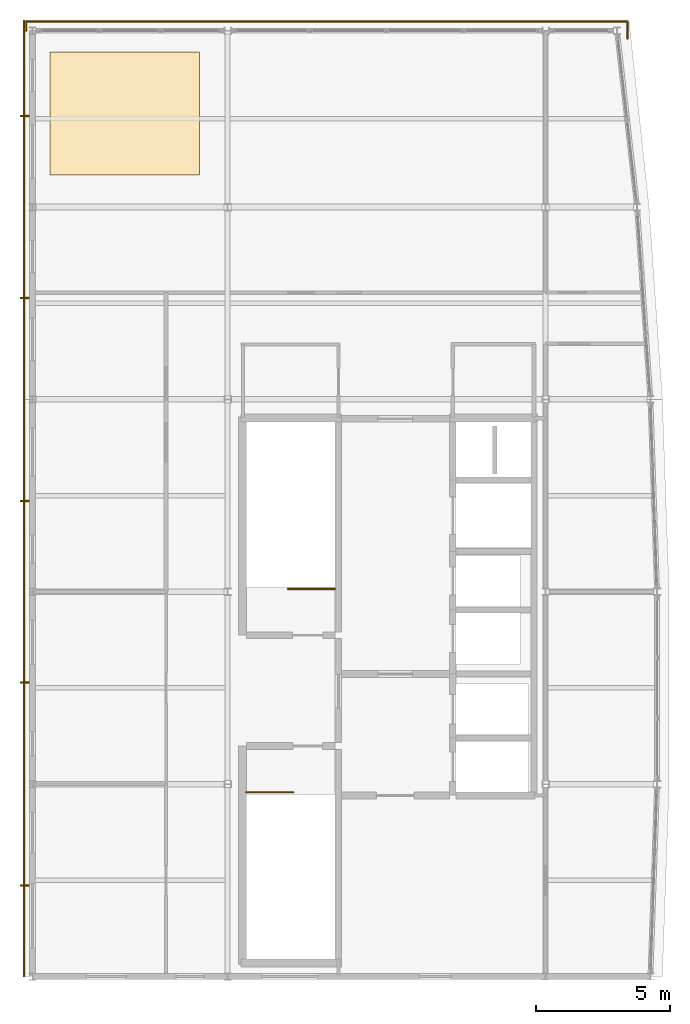
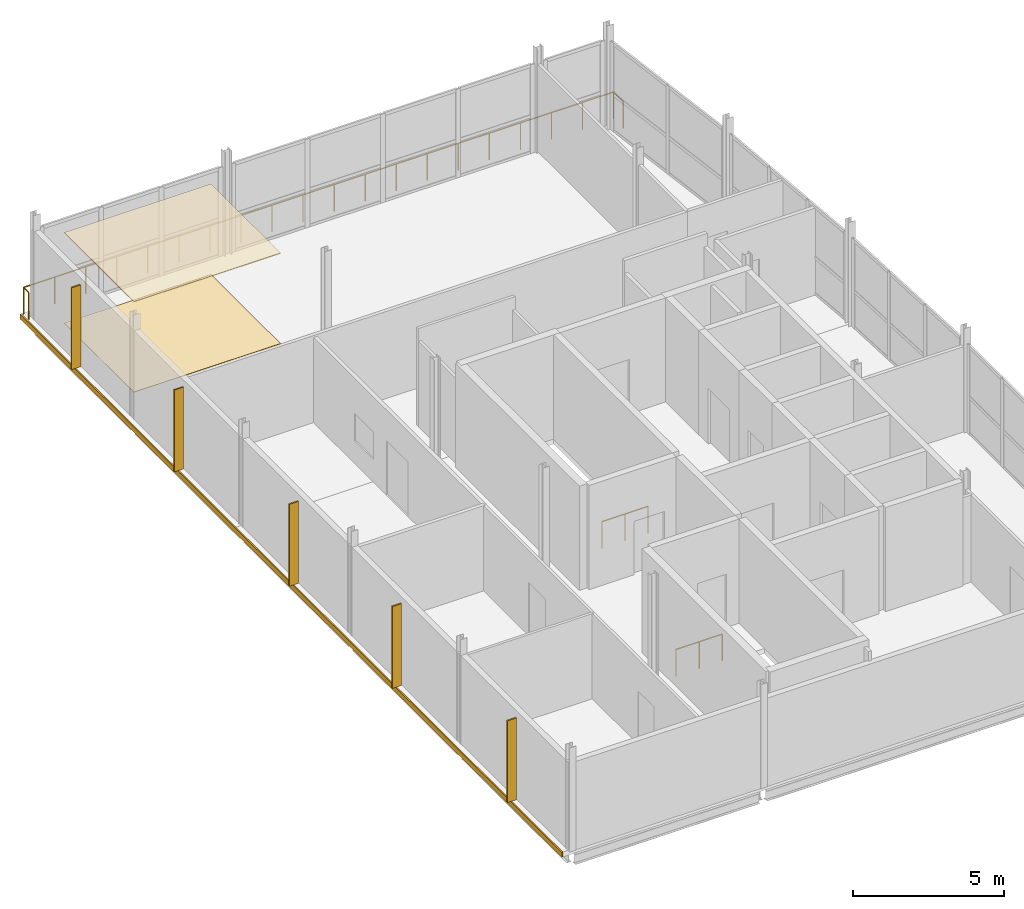
# One storey, part 14 of 14: 5 shading devices, 3 coverings, 3 railings.
"""IFC4 building model written with IfcOpenShell, lengths in metres."""

import ifcopenshell
import ifcopenshell.guid

model = None  # the IFC model being written
_history = None  # IfcOwnerHistory: only IFC2X3 demands one
_inside = {}  # id of a spatial element -> (the spatial element, [elements in it])
_under = {}  # id of a project, library or spatial element -> (it, [spatial elements below it])
_declared = {}  # id of a project -> (the project, [libraries it declares])
_typed = {}  # id of a type object -> (the type object, [elements of that type])
_made_of = {}  # id of a material, layer set ... -> (it, [elements and type objects made of it])


def new_model(schema):
    """Start an empty IFC model of exactly this schema.

    Asked for "IFC4X3", IfcOpenShell would pick the latest addendum, in which some entities
    have other attributes; the version numbers below select the first issue.
    IFC2X3 requires an IfcOwnerHistory on every rooted entity: one is made here for all.
    """
    global model, _history
    if schema == "IFC4X3":
        model = ifcopenshell.file(schema_version=(4, 3, 0, 0))
    else:
        model = ifcopenshell.file(schema=schema)
    _inside.clear()
    _under.clear()
    _declared.clear()
    _typed.clear()
    _made_of.clear()
    _history = None
    if model.schema == "IFC2X3":
        org = make("IfcOrganization", Name="unknown")
        user = make(
            "IfcPersonAndOrganization",
            ThePerson=make("IfcPerson", FamilyName="unknown"),
            TheOrganization=org,
        )
        app = make(
            "IfcApplication",
            ApplicationDeveloper=org,
            Version="unknown",
            ApplicationFullName="unknown",
            ApplicationIdentifier="unknown",
        )
        _history = make(
            "IfcOwnerHistory",
            OwningUser=user,
            OwningApplication=app,
            ChangeAction="ADDED",
            CreationDate=0,
        )
    return model


def make(cls, **values):
    """One entity of the class cls with the attributes given. An attribute that is None is left unset."""
    return model.create_entity(
        cls, **{name: value for name, value in values.items() if value is not None}
    )


def rooted(cls, **values):
    """An entity with a GlobalId (a new one), such as an element, a storey or a relation."""
    return make(cls, GlobalId=ifcopenshell.guid.new(), OwnerHistory=_history, **values)


def si_unit(unit_type, name, prefix=None):
    """IfcSIUnit, for example si_unit("LENGTHUNIT", "METRE", prefix="MILLI")."""
    return make("IfcSIUnit", UnitType=unit_type, Prefix=prefix, Name=name)


def assignment(units):
    """IfcUnitAssignment: the units of a project."""
    return None if units is None else make("IfcUnitAssignment", Units=units)


def point(xyz):
    """IfcCartesianPoint."""
    return None if xyz is None else make("IfcCartesianPoint", Coordinates=xyz)


def direction(xyz):
    """IfcDirection."""
    return None if xyz is None else make("IfcDirection", DirectionRatios=xyz)


def frame(location, z_axis=None, x_axis=None):
    """IfcAxis2Placement3D, a coordinate frame: its origin and axes. An axis left out is left unset."""
    return make(
        "IfcAxis2Placement3D",
        Location=point(location),
        Axis=direction(z_axis),
        RefDirection=direction(x_axis),
    )


def frame_2d(location, x_axis=None):
    """IfcAxis2Placement2D, a coordinate frame in the plane: its origin and x axis."""
    return make(
        "IfcAxis2Placement2D", Location=point(location), RefDirection=direction(x_axis)
    )


def origin():
    """The frame at (0, 0, 0) with its axes left unset."""
    return frame((0.0, 0.0, 0.0))


def origin_2d():
    """The frame at (0, 0) in the plane with its x axis left unset."""
    return frame_2d((0.0, 0.0))


def place(relative_to, where):
    """IfcLocalPlacement: puts the frame where relative to a parent placement (None: the world)."""
    return make(
        "IfcLocalPlacement", PlacementRelTo=relative_to, RelativePlacement=where
    )


def context(
    kind, dimensions, precision=None, world=None, true_north=None, identifier=None
):
    """IfcGeometricRepresentationContext, for example the 3D "Model" context."""
    return make(
        "IfcGeometricRepresentationContext",
        ContextIdentifier=identifier,
        ContextType=kind,
        CoordinateSpaceDimension=dimensions,
        Precision=precision,
        WorldCoordinateSystem=world,
        TrueNorth=true_north,
    )


def subcontext(parent, identifier, kind, view, scale=None):
    """IfcGeometricRepresentationSubContext, for example "Body" below "Model"."""
    return make(
        "IfcGeometricRepresentationSubContext",
        ContextIdentifier=identifier,
        ContextType=kind,
        ParentContext=parent,
        TargetScale=scale,
        TargetView=view,
    )


def project(units=None, contexts=None):
    """IfcProject with its units and contexts."""
    return rooted(
        "IfcProject",
        Name="project",
        RepresentationContexts=contexts,
        UnitsInContext=assignment(units),
    )


def spatial(cls, under=None, at=None, **own):
    """A site, building, storey or space (cls), placed at a placement, below another one or the project."""
    s = rooted(cls, ObjectPlacement=at, **own)
    if under is not None:
        _under.setdefault(under.id(), (under, []))[1].append(s)
    return s


def polyline(points):
    """IfcPolyline through the points."""
    return make("IfcPolyline", Points=[point(p) for p in points])


def profile(cls, at=None, kind="AREA", **sizes):
    """A parametric profile (cls). Its sizes go by their IFC names, for example OverallWidth=200.0."""
    return make(cls, ProfileType=kind, Position=at, **sizes)


def rectangle(**sizes):
    """IfcRectangleProfileDef."""
    return profile("IfcRectangleProfileDef", **sizes)


def circle(**sizes):
    """IfcCircleProfileDef."""
    return profile("IfcCircleProfileDef", **sizes)


def outline(outer, holes=None, kind="AREA"):
    """IfcArbitraryClosedProfileDef: a profile drawn as a closed curve; with holes, ...WithVoids."""
    if holes is None:
        return make("IfcArbitraryClosedProfileDef", ProfileType=kind, OuterCurve=outer)
    return make(
        "IfcArbitraryProfileDefWithVoids",
        ProfileType=kind,
        OuterCurve=outer,
        InnerCurves=holes,
    )


def extrude(swept, where, along, depth):
    """IfcExtrudedAreaSolid: the profile swept, set in the frame where, extruded along a direction by depth."""
    return make(
        "IfcExtrudedAreaSolid",
        SweptArea=swept,
        Position=where,
        ExtrudedDirection=direction(along),
        Depth=depth,
    )


def shape(context_of_items, identifier, shape_type, items):
    """IfcShapeRepresentation: the items that make up one representation, for example the "Body"."""
    return make(
        "IfcShapeRepresentation",
        ContextOfItems=context_of_items,
        RepresentationIdentifier=identifier,
        RepresentationType=shape_type,
        Items=items,
    )


def material(Name=None, Category=None):
    """IfcMaterial."""
    return make("IfcMaterial", Name=Name, Category=Category)


def layer(
    of_material, thickness, ventilated=None, Name=None, Category=None, Priority=None
):
    """IfcMaterialLayer: one layer of a wall or slab, of a material (None: an air gap)."""
    return make(
        "IfcMaterialLayer",
        Material=of_material,
        LayerThickness=thickness,
        IsVentilated=ventilated,
        Name=Name,
        Category=Category,
        Priority=Priority,
    )


def layer_set(layers, Name=None):
    """IfcMaterialLayerSet."""
    return make("IfcMaterialLayerSet", MaterialLayers=layers, LayerSetName=Name)


def made_of(thing, what):
    """Note that an element or type object is made of a material, layer set ...; save() writes the relation."""
    if what is not None:
        _made_of.setdefault(what.id(), (what, []))[1].append(thing)
    return thing


def type_object(cls, material=None, **own):
    """A type object (cls), such as IfcWallType, which elements share."""
    return made_of(rooted(cls, **own), material)


def element(
    cls,
    number,
    at=None,
    inside=None,
    cuts=None,
    type_object=None,
    material=None,
    context=None,
    identifier="Body",
    shape_type=None,
    held_by="IfcProductDefinitionShape",
    body=None,
    shapes=None,
    **own,
):
    """One element of the class cls, such as IfcWall. Its Tag is "e" and its number.

    at: its placement. inside: the storey or other place that contains it. cuts: it is an
    opening in that element (IfcRelVoidsElement). A single representation is given by context,
    identifier, shape_type and body (its items); several are given by shapes. held_by: the class
    of the entity that holds the representations. save() writes the other relations.
    """
    e = rooted(cls, Tag="e%d" % number, ObjectPlacement=at, **own)
    if body is not None:
        shapes = [shape(context, identifier, shape_type, body)]
    if shapes is not None:
        e.Representation = make(held_by, Representations=shapes)
    if inside is not None:
        _inside.setdefault(inside.id(), (inside, []))[1].append(e)
    if cuts is not None:
        rooted(
            "IfcRelVoidsElement", RelatingBuildingElement=cuts, RelatedOpeningElement=e
        )
    if type_object is not None:
        _typed.setdefault(type_object.id(), (type_object, []))[1].append(e)
    return made_of(e, material)


def aggregate(whole, parts):
    """IfcRelAggregates: a whole, such as a stair, and the parts it consists of."""
    return rooted("IfcRelAggregates", RelatingObject=whole, RelatedObjects=parts)


def save(model, path):
    """Write the relations noted so far, then the file.

    IfcRelAggregates (storeys below a building ...), IfcRelContainedInSpatialStructure (elements
    in a storey), IfcRelDefinesByType, IfcRelAssociatesMaterial and IfcRelDeclares: one each for
    every whole, place, type object, material and project.
    """
    for whole, parts in _under.values():
        aggregate(whole, parts)
    for where, things in _inside.values():
        rooted(
            "IfcRelContainedInSpatialStructure",
            RelatedElements=things,
            RelatingStructure=where,
        )
    for kind, things in _typed.values():
        rooted("IfcRelDefinesByType", RelatedObjects=things, RelatingType=kind)
    for what, things in _made_of.values():
        rooted("IfcRelAssociatesMaterial", RelatedObjects=things, RelatingMaterial=what)
    for by, libraries in _declared.values():
        rooted("IfcRelDeclares", RelatingContext=by, RelatedDefinitions=libraries)
    model.write(path)


model = new_model("IFC4")

# Units and contexts
model_context = context("Model", 3, precision=1e-05, world=origin(), true_north=direction((0.0, 1.0)))
body_context = subcontext(model_context, "Body", "Model", "MODEL_VIEW")
ifc_project = project(units=[si_unit("LENGTHUNIT", "METRE"), si_unit("AREAUNIT", "SQUARE_METRE"), si_unit("VOLUMEUNIT", "CUBIC_METRE"), si_unit("PLANEANGLEUNIT", "RADIAN"), si_unit("MASSUNIT", "GRAM", prefix="KILO")], contexts=[model_context])

# Site, building, storey
site_placement = place(None, origin())
site = spatial("IfcSite", under=ifc_project, at=site_placement, CompositionType="ELEMENT")
building_placement = place(site_placement, origin())
building = spatial("IfcBuilding", under=site, at=building_placement, Name="Quillay Park Conservatory", CompositionType="ELEMENT")
storey_placement = place(building_placement, frame((0.0, 0.0, 64.5)))
storey = spatial("IfcBuildingStorey", under=building, at=storey_placement, Name="L15", CompositionType="ELEMENT", Elevation=64.5)

# Coverings
ifc_material_1 = material(Name="Glass-Fibre Reinforced Concrete (GRC) Cladding", Category="concrete")
ifc_layer_1 = layer(ifc_material_1, 0.044921875)
ifc_layer_set_1 = layer_set([ifc_layer_1], Name="GRC SPANDREL CLADDING 45 (Glass-Fibre Reinforced Concrete (GRC) Cladding)")
covering_type_1 = type_object("IfcCoveringType", Name="GRC SPANDREL CLADDING 45", PredefinedType="CLADDING", material=ifc_layer_set_1)
covering_1_placement = place(storey_placement, frame((0.0, 0.0, -0.199951171875)))
element("IfcCovering", 1, at=covering_1_placement, inside=storey, type_object=covering_type_1, Name="L15 West Folded GRC Spandrel Ribbon", PredefinedType="CLADDING", context=body_context, shape_type="SweptSolid", body=[
    extrude(outline(polyline([(0.205078125, 78.0), (0.25, 78.0), (0.25, 113.800048828125), (0.205078125, 113.800048828125), (0.205078125, 78.0)])), origin(), (0.0, 0.0, 1.0), 0.199951171875),
])
ifc_material_2 = material(Name="Perforated Mineral-Fibre Acoustic Ceiling")
ifc_layer_2 = layer(ifc_material_2, 0.030029296875)
ifc_layer_set_2 = layer_set([ifc_layer_2], Name="LABORATORY HYGIENIC CEILING 30 (Perforated Mineral-Fibre Acoustic Ceiling)")
covering_type_2 = type_object("IfcCoveringType", Name="LABORATORY HYGIENIC CEILING 30", PredefinedType="CEILING", material=ifc_layer_set_2)
covering_2_placement = place(storey_placement, frame((0.0, 0.0, 3.64208984375)))
element("IfcCovering", 2, at=covering_2_placement, inside=storey, type_object=covering_type_2, Name="L15 Suspended Acoustic Ceiling", PredefinedType="CEILING", context=body_context, shape_type="SweptSolid", body=[
    extrude(outline(polyline([(1.199951171875, 108.0), (6.800048828125, 108.0), (6.800048828125, 112.60009765625), (1.199951171875, 112.60009765625), (1.199951171875, 108.0)])), origin(), (0.0, 0.0, 1.0), 0.030029296875),
])
ifc_material_3 = material(Name="Seamless Chemical-Resistant Epoxy Flooring")
ifc_layer_3 = layer(ifc_material_3, 0.01806640625)
ifc_layer_set_3 = layer_set([ifc_layer_3], Name="SEAMLESS EPOXY LAB FLOORING 18 (Seamless Chemical-Resistant Epoxy Flooring)")
covering_type_3 = type_object("IfcCoveringType", Name="SEAMLESS EPOXY LAB FLOORING 18", PredefinedType="FLOORING", material=ifc_layer_set_3)
covering_3_placement = place(storey_placement, origin())
element("IfcCovering", 3, at=covering_3_placement, inside=storey, type_object=covering_type_3, Name="L15 Interior Flooring Finish", PredefinedType="FLOORING", context=body_context, shape_type="SweptSolid", body=[
    extrude(outline(polyline([(1.199951171875, 108.0), (6.800048828125, 108.0), (6.800048828125, 112.60009765625), (1.199951171875, 112.60009765625), (1.199951171875, 108.0)])), origin(), (0.0, 0.0, 1.0), 0.01806640625),
])

# Railings
ifc_material_4 = material(Name="Steel S355J2H", Category="steel")
railing_type_1 = type_object("IfcRailingType", Name="STAIR WELL GUARDRAIL 1100", PredefinedType="GUARDRAIL", material=ifc_material_4)
railing_1_placement = place(storey_placement, frame((11.8701171875, 92.5, 0.0)))
element("IfcRailing", 4, at=railing_1_placement, inside=storey, type_object=railing_type_1, Name="L15 ST-T1 top well guard 1", PredefinedType="GUARDRAIL", context=body_context, shape_type="SweptSolid", body=[
    extrude(circle(Radius=0.02392578125, at=origin_2d()), frame((0.0, 0.0, 1.076171875), z_axis=(-1.0, 0.0, 0.0), x_axis=(0.0, -1.0, 0.0)), (0.0, 0.0, 1.0), 1.760009765625),
    extrude(circle(Radius=0.02099609375, at=origin_2d()), origin(), (0.0, 0.0, 1.0), 1.052001953125),
    extrude(circle(Radius=0.02099609375, at=origin_2d()), frame((-0.8798828125, 0.0, 0.0)), (0.0, 0.0, 1.0), 1.052001953125),
    extrude(circle(Radius=0.02099609375, at=origin_2d()), frame((-1.760009765625, 0.0, 0.0)), (0.0, 0.0, 1.0), 1.052001953125),
])
railing_2_placement = place(storey_placement, frame((8.550048828125, 84.89990234375, 0.0)))
element("IfcRailing", 5, at=railing_2_placement, inside=storey, type_object=railing_type_1, Name="L15 ST-T2 top well guard 1", PredefinedType="GUARDRAIL", context=body_context, shape_type="SweptSolid", body=[
    extrude(circle(Radius=0.02392578125, at=origin_2d()), frame((0.0, 0.0, 1.076171875), z_axis=(1.0, 0.0, 0.0), x_axis=(0.0, 1.0, 0.0)), (0.0, 0.0, 1.0), 1.760009765625),
    extrude(circle(Radius=0.02099609375, at=origin_2d()), origin(), (0.0, 0.0, 1.0), 1.052001953125),
    extrude(circle(Radius=0.02099609375, at=origin_2d()), frame((0.8798828125, 0.0, 0.0)), (0.0, 0.0, 1.0), 1.052001953125),
    extrude(circle(Radius=0.02099609375, at=origin_2d()), frame((1.760009765625, 0.0, 0.0)), (0.0, 0.0, 1.0), 1.052001953125),
])
ifc_material_5 = material(Name="Steel S355J2H", Category="steel")
railing_type_2 = type_object("IfcRailingType", Name="TERRACE PERIMETER GUARDRAIL 1100", PredefinedType="GUARDRAIL", material=ifc_material_5)
railing_3_placement = place(storey_placement, frame((0.31005859375, 113.39990234375, 0.0)))
element("IfcRailing", 6, at=railing_3_placement, inside=storey, type_object=railing_type_2, Name="L15 Perimeter Safety Guardrail 041", PredefinedType="GUARDRAIL", context=body_context, shape_type="SweptSolid", body=[
    extrude(circle(Radius=0.02392578125, at=origin_2d()), frame((0.0, 0.0, 1.076171875), z_axis=(0.0, 1.0, 0.0), x_axis=(-1.0, 0.0, 0.0)), (0.0, 0.0, 1.0), 0.340087890625),
    extrude(circle(Radius=0.02392578125, at=origin_2d()), frame((0.0, 0.340087890625, 1.076171875), z_axis=(1.0, 0.0, 0.0), x_axis=(0.0, 1.0, 0.0)), (0.0, 0.0, 1.0), 22.5048828125),
    extrude(circle(Radius=0.02392578125, at=origin_2d()), frame((22.5048828125, 0.340087890625, 1.076171875), z_axis=(0.0, -1.0, 0.0), x_axis=(1.0, 0.0, 0.0)), (0.0, 0.0, 1.0), 0.639892578125),
    extrude(circle(Radius=0.02099609375, at=origin_2d()), origin(), (0.0, 0.0, 1.0), 1.052001953125),
    extrude(circle(Radius=0.02099609375, at=origin_2d()), frame((0.0, 0.340087890625, 0.0)), (0.0, 0.0, 1.0), 1.052001953125),
    extrude(circle(Radius=0.02099609375, at=origin_2d()), frame((1.1845703125, 0.340087890625, 0.0)), (0.0, 0.0, 1.0), 1.052001953125),
    extrude(circle(Radius=0.02099609375, at=origin_2d()), frame((2.368896484375, 0.340087890625, 0.0)), (0.0, 0.0, 1.0), 1.052001953125),
    extrude(circle(Radius=0.02099609375, at=origin_2d()), frame((3.553466796875, 0.340087890625, 0.0)), (0.0, 0.0, 1.0), 1.052001953125),
    extrude(circle(Radius=0.02099609375, at=origin_2d()), frame((4.73779296875, 0.340087890625, 0.0)), (0.0, 0.0, 1.0), 1.052001953125),
    extrude(circle(Radius=0.02099609375, at=origin_2d()), frame((5.92236328125, 0.340087890625, 0.0)), (0.0, 0.0, 1.0), 1.052001953125),
    extrude(circle(Radius=0.02099609375, at=origin_2d()), frame((7.106689453125, 0.340087890625, 0.0)), (0.0, 0.0, 1.0), 1.052001953125),
    extrude(circle(Radius=0.02099609375, at=origin_2d()), frame((8.291259765625, 0.340087890625, 0.0)), (0.0, 0.0, 1.0), 1.052001953125),
    extrude(circle(Radius=0.02099609375, at=origin_2d()), frame((9.475830078125, 0.340087890625, 0.0)), (0.0, 0.0, 1.0), 1.052001953125),
    extrude(circle(Radius=0.02099609375, at=origin_2d()), frame((10.66015625, 0.340087890625, 0.0)), (0.0, 0.0, 1.0), 1.052001953125),
    extrude(circle(Radius=0.02099609375, at=origin_2d()), frame((11.8447265625, 0.340087890625, 0.0)), (0.0, 0.0, 1.0), 1.052001953125),
    extrude(circle(Radius=0.02099609375, at=origin_2d()), frame((13.029052734375, 0.340087890625, 0.0)), (0.0, 0.0, 1.0), 1.052001953125),
    extrude(circle(Radius=0.02099609375, at=origin_2d()), frame((14.213623046875, 0.340087890625, 0.0)), (0.0, 0.0, 1.0), 1.052001953125),
    extrude(circle(Radius=0.02099609375, at=origin_2d()), frame((15.398193359375, 0.340087890625, 0.0)), (0.0, 0.0, 1.0), 1.052001953125),
    extrude(circle(Radius=0.02099609375, at=origin_2d()), frame((16.58251953125, 0.340087890625, 0.0)), (0.0, 0.0, 1.0), 1.052001953125),
    extrude(circle(Radius=0.02099609375, at=origin_2d()), frame((17.76708984375, 0.340087890625, 0.0)), (0.0, 0.0, 1.0), 1.052001953125),
    extrude(circle(Radius=0.02099609375, at=origin_2d()), frame((18.951416015625, 0.340087890625, 0.0)), (0.0, 0.0, 1.0), 1.052001953125),
    extrude(circle(Radius=0.02099609375, at=origin_2d()), frame((20.135986328125, 0.340087890625, 0.0)), (0.0, 0.0, 1.0), 1.052001953125),
    extrude(circle(Radius=0.02099609375, at=origin_2d()), frame((21.3203125, 0.340087890625, 0.0)), (0.0, 0.0, 1.0), 1.052001953125),
    extrude(circle(Radius=0.02099609375, at=origin_2d()), frame((22.5048828125, 0.340087890625, 0.0)), (0.0, 0.0, 1.0), 1.052001953125),
    extrude(circle(Radius=0.02099609375, at=origin_2d()), frame((22.5048828125, -0.2998046875, 0.0)), (0.0, 0.0, 1.0), 1.052001953125),
])

# Shading devices
ifc_material_6 = material(Name="Perforated Copper-Bronze Anodised Aluminium", Category="aluminium")
shading_device_type = type_object("IfcShadingDeviceType", Name="COPPER BRONZE SOLAR FIN", PredefinedType="USERDEFINED", material=ifc_material_6)
for number, where, z_axis, x_axis, name in (
    (7, (0.2548828125, 81.39990234375, 0.0), (0.0, 0.0, 1.0), (1.0, 0.0, 0.0), "L15 Perforated Copper-Bronze Solar Fin 056"),
    (8, (0.2548828125, 89.0, 0.0), (0.0, 0.0, 1.0), (1.0, 0.0, 0.0), "L15 Perforated Copper-Bronze Solar Fin 057"),
    (9, (0.2548828125, 95.800048828125, 0.0), (0.0, 0.0, 1.0), (1.0, 0.0, 0.0), "L15 Perforated Copper-Bronze Solar Fin 058"),
    (10, (0.2548828125, 103.39990234375, 0.0), (0.0, 0.0, 1.0), (1.0, 0.0, 0.0), "L15 Perforated Copper-Bronze Solar Fin 059"),
    (11, (0.2548828125, 110.199951171875, 0.0), (0.0, 0.0, 1.0), (1.0, 0.0, 0.0), "L15 Perforated Copper-Bronze Solar Fin 060"),
):
    element("IfcShadingDevice", number, at=place(storey_placement, frame(where, z_axis=z_axis, x_axis=x_axis)), inside=storey, type_object=shading_device_type, Name=name, ObjectType="SOLAR FIN", PredefinedType="USERDEFINED", context=body_context, shape_type="SweptSolid", body=[
        extrude(rectangle(XDim=0.35009765625, YDim=0.054931640625, at=origin_2d()), origin(), (0.0, 0.0, 1.0), 3.300048828125),
    ])

save(model, "model.ifc")
